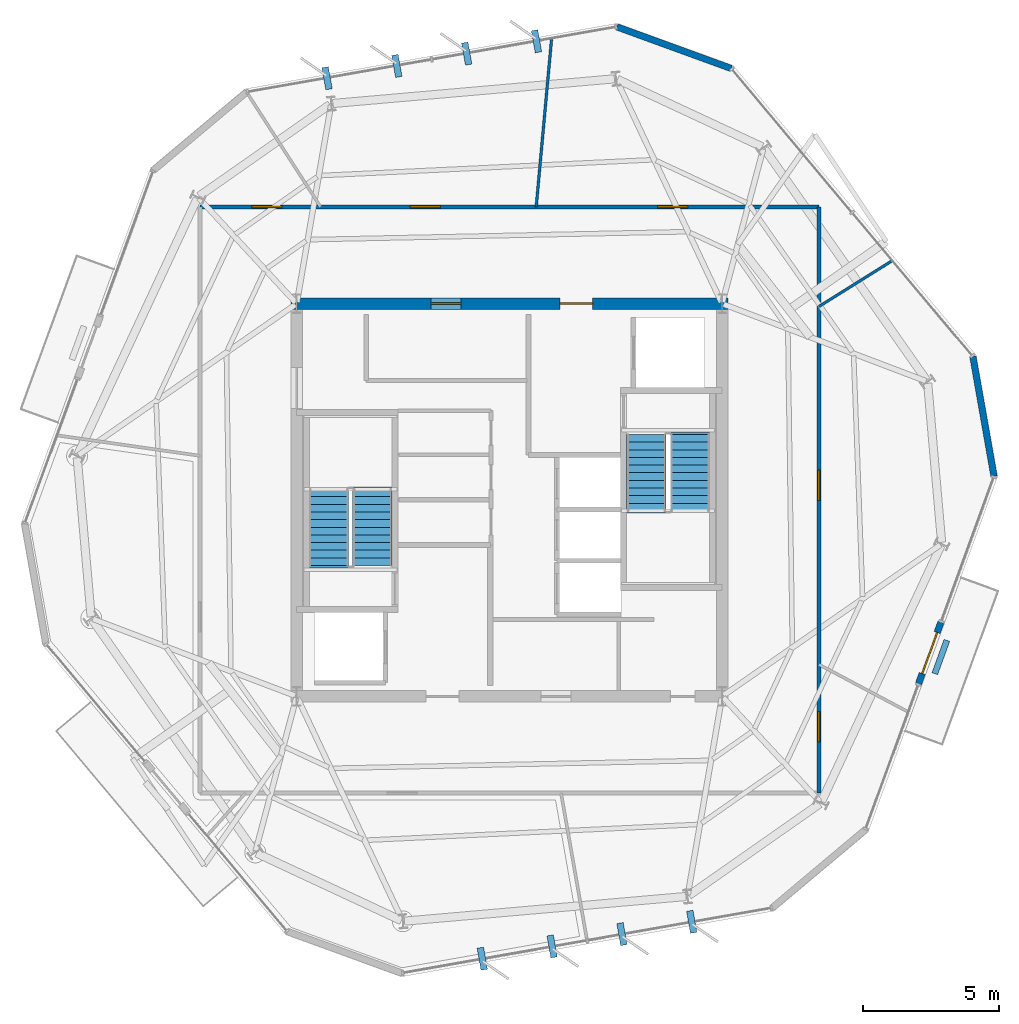
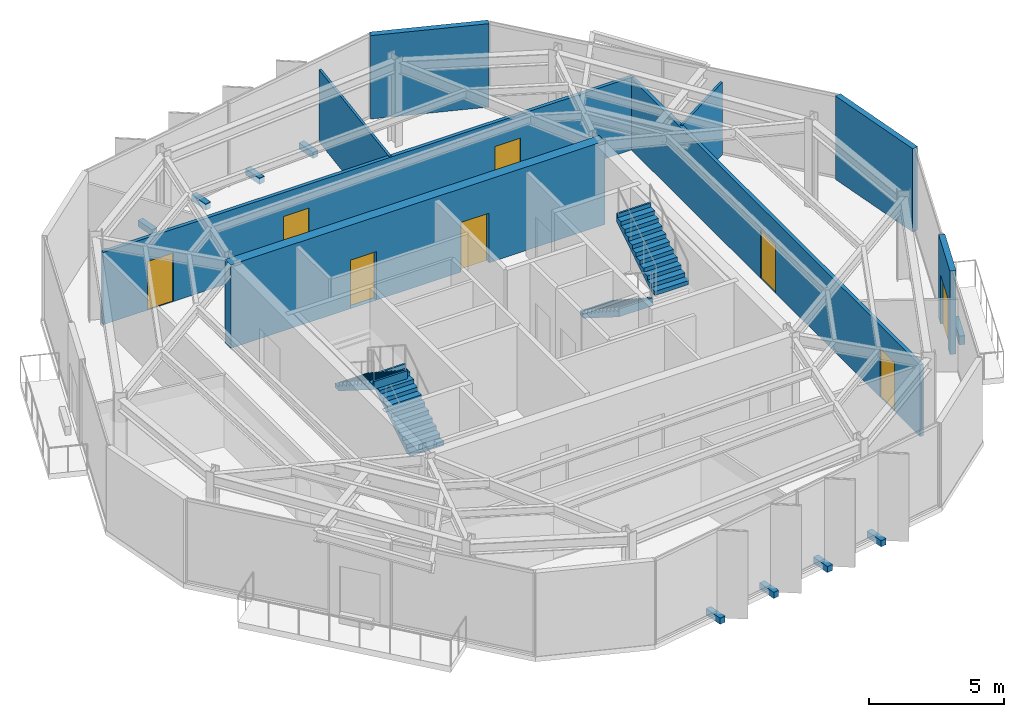
# One storey, part 8 of 11: 9 walls, 8 discrete accessories, 8 doors, 4 stair flights, 8 openings, 2 elements without a shape of their own.
"""IFC4 building model written with IfcOpenShell, lengths in metres."""

from ifc_helpers import new_model, si_unit, direction, frame, frame_2d, origin, origin_2d, place, context, subcontext, project, spatial, polyline, rectangle, outline, extrude, material, layer, layer_set, type_object, element, fill, aggregate, save


model = new_model("IFC4")

# Units and contexts
model_context = context("Model", 3, precision=1e-05, world=origin(), true_north=direction((0.0, 1.0)))
body_context = subcontext(model_context, "Body", "Model", "MODEL_VIEW")
ifc_project = project(units=[si_unit("LENGTHUNIT", "METRE"), si_unit("AREAUNIT", "SQUARE_METRE"), si_unit("VOLUMEUNIT", "CUBIC_METRE"), si_unit("PLANEANGLEUNIT", "RADIAN"), si_unit("MASSUNIT", "GRAM", prefix="KILO")], contexts=[model_context])

# Site, building, storey
site_placement = place(None, origin())
site = spatial("IfcSite", under=ifc_project, at=site_placement, CompositionType="ELEMENT")
building_placement = place(site_placement, origin())
building = spatial("IfcBuilding", under=site, at=building_placement, Name="Kranzbogen Civic Tower", CompositionType="ELEMENT")
storey_placement = place(building_placement, frame((0.0, 0.0, 306.199951171875)))
storey = spatial("IfcBuildingStorey", under=building, at=storey_placement, Name="L74", CompositionType="ELEMENT", Elevation=306.199951171875)

# Wall, openings, doors
ifc_material_1 = material(Name="Double-Stud Acoustic Gypsum Partition")
ifc_layer_1 = layer(ifc_material_1, 0.14990234375, Name="Double-Stud Acoustic Gypsum Partition")
ifc_layer_set_1 = layer_set([ifc_layer_1], Name="Double-Stud Acoustic Gypsum Partition")
wall_type_1 = type_object("IfcWallType", Name="Acoustic Corridor and Clinical Partition 150 mm", PredefinedType="PARTITIONING", material=ifc_layer_set_1)
wall_1_placement = place(storey_placement, frame((13.64990234375, 35.75, 0.0), z_axis=(0.0, 0.0, 1.0), x_axis=(1.0, 0.0, 0.0)))
wall_1 = element("IfcWall", 1, at=wall_1_placement, inside=storey, type_object=wall_type_1, Name="L74 corridor partition 01", PredefinedType="PARTITIONING", context=body_context, shape_type="SweptSolid", body=[
    extrude(rectangle(XDim=22.7001953125, YDim=0.14990234375, at=frame_2d((11.35009765625, 0.0))), origin(), (0.0, 0.0, 1.0), 3.280029296875),
])
opening_1_placement = place(wall_1_placement, frame((7.718017578125, 0.0, 0.0)))
opening_1 = element("IfcOpeningElement", 2, at=opening_1_placement, cuts=wall_1, Name="Opening D-COR60", PredefinedType="OPENING", context=body_context, shape_type="SweptSolid", body=[
    extrude(rectangle(XDim=1.10009765625, YDim=2.199951171875, at=frame_2d((0.550048828125, 1.10009765625))), frame((0.0, 0.0849609375, 0.0), z_axis=(0.0, -1.0, 0.0), x_axis=(1.0, 0.0, 0.0)), (0.0, 0.0, 1.0), 0.169921875),
])
opening_2_placement = place(wall_1_placement, frame((16.785888671875, 0.0, 0.0)))
opening_2 = element("IfcOpeningElement", 3, at=opening_2_placement, cuts=wall_1, Name="Opening D-COR60", PredefinedType="OPENING", context=body_context, shape_type="SweptSolid", body=[
    extrude(rectangle(XDim=1.10009765625, YDim=2.199951171875, at=frame_2d((0.550048828125, 1.10009765625))), frame((0.0, 0.0849609375, 0.0), z_axis=(0.0, -1.0, 0.0), x_axis=(1.0, 0.0, 0.0)), (0.0, 0.0, 1.0), 0.169921875),
])
opening_3_placement = place(wall_1_placement, frame((1.906005859375, 0.0, 0.0)))
opening_3 = element("IfcOpeningElement", 4, at=opening_3_placement, cuts=wall_1, Name="Opening D-COR60", PredefinedType="OPENING", context=body_context, shape_type="SweptSolid", body=[
    extrude(rectangle(XDim=1.10009765625, YDim=2.199951171875, at=frame_2d((0.550048828125, 1.10009765625))), frame((0.0, 0.0849609375, 0.0), z_axis=(0.0, -1.0, 0.0), x_axis=(1.0, 0.0, 0.0)), (0.0, 0.0, 1.0), 0.169921875),
])
ifc_material_2 = material(Name="Oak Timber and Fire Core", Category="wood")
door_type_1 = type_object("IfcDoorType", Name="Corridor Acoustic Fire Door 1100x2200", OperationType="NOTDEFINED", PredefinedType="DOOR", material=ifc_material_2)
door_1_placement = place(opening_1_placement, origin())
door_1 = element("IfcDoor", 5, at=door_1_placement, inside=storey, type_object=door_type_1, Name="L74 Municipal Exhibition Showroom door", OperationType="SINGLE_SWING_LEFT", OverallHeight=2.199951171875, OverallWidth=1.10009765625, PredefinedType="DOOR", context=body_context, shape_type="SweptSolid", body=[
    extrude(rectangle(XDim=1.10009765625, YDim=2.199951171875, at=frame_2d((0.550048828125, 1.10009765625))), frame((0.0, 0.02490234375, 0.0), z_axis=(0.0, -1.0, 0.0), x_axis=(1.0, 0.0, 0.0)), (0.0, 0.0, 1.0), 0.050048828125),
])
fill(opening_1, door_1)
door_2_placement = place(opening_2_placement, origin())
door_2 = element("IfcDoor", 6, at=door_2_placement, inside=storey, type_object=door_type_1, Name="L74 Licensing Information Kiosk door", OperationType="SINGLE_SWING_RIGHT", OverallHeight=2.199951171875, OverallWidth=1.10009765625, PredefinedType="DOOR", context=body_context, shape_type="SweptSolid", body=[
    extrude(rectangle(XDim=1.10009765625, YDim=2.199951171875, at=frame_2d((0.550048828125, 1.10009765625))), frame((0.0, 0.02490234375, 0.0), z_axis=(0.0, -1.0, 0.0), x_axis=(1.0, 0.0, 0.0)), (0.0, 0.0, 1.0), 0.050048828125),
])
fill(opening_2, door_2)
door_3_placement = place(opening_3_placement, origin())
door_3 = element("IfcDoor", 7, at=door_3_placement, inside=storey, type_object=door_type_1, Name="L74 Delegates Sitting Lounge door", OperationType="SINGLE_SWING_LEFT", OverallHeight=2.199951171875, OverallWidth=1.10009765625, PredefinedType="DOOR", context=body_context, shape_type="SweptSolid", body=[
    extrude(rectangle(XDim=1.10009765625, YDim=2.199951171875, at=frame_2d((0.550048828125, 1.10009765625))), frame((0.0, 0.02490234375, 0.0), z_axis=(0.0, -1.0, 0.0), x_axis=(1.0, 0.0, 0.0)), (0.0, 0.0, 1.0), 0.050048828125),
])
fill(opening_3, door_3)

wall_2_placement = place(storey_placement, frame((36.35009765625, 35.75, 0.0), z_axis=(0.0, 0.0, 1.0), x_axis=(0.0, -1.0, 0.0)))
wall_2 = element("IfcWall", 8, at=wall_2_placement, inside=storey, type_object=wall_type_1, Name="L74 corridor partition 02", PredefinedType="PARTITIONING", context=body_context, shape_type="SweptSolid", body=[
    extrude(rectangle(XDim=21.5, YDim=0.14990234375, at=frame_2d((10.75, 0.0))), origin(), (0.0, 0.0, 1.0), 3.25),
])
opening_4_placement = place(wall_2_placement, frame((18.514892578125, 0.0, 0.0)))
opening_4 = element("IfcOpeningElement", 9, at=opening_4_placement, cuts=wall_2, Name="Opening D-COR60", PredefinedType="OPENING", context=body_context, shape_type="SweptSolid", body=[
    extrude(rectangle(XDim=1.10009765625, YDim=2.199951171875, at=frame_2d((0.550048828125, 1.10009765625))), frame((0.0, 0.0849609375, 0.0), z_axis=(0.0, -1.0, 0.0), x_axis=(1.0, 0.0, 0.0)), (0.0, 0.0, 1.0), 0.169921875),
])
opening_5_placement = place(wall_2_placement, frame((9.6630859375, 0.0, 0.0)))
opening_5 = element("IfcOpeningElement", 10, at=opening_5_placement, cuts=wall_2, Name="Opening D-COR60", PredefinedType="OPENING", context=body_context, shape_type="SweptSolid", body=[
    extrude(rectangle(XDim=1.10009765625, YDim=2.199951171875, at=frame_2d((0.550048828125, 1.10009765625))), frame((0.0, 0.0849609375, 0.0), z_axis=(0.0, -1.0, 0.0), x_axis=(1.0, 0.0, 0.0)), (0.0, 0.0, 1.0), 0.169921875),
])
door_4_placement = place(opening_4_placement, origin())
door_4 = element("IfcDoor", 11, at=door_4_placement, inside=storey, type_object=door_type_1, Name="L74 Protocol Entrance Reception door", OperationType="SINGLE_SWING_LEFT", OverallHeight=2.199951171875, OverallWidth=1.10009765625, PredefinedType="DOOR", context=body_context, shape_type="SweptSolid", body=[
    extrude(rectangle(XDim=1.10009765625, YDim=2.199951171875, at=frame_2d((0.550048828125, 1.10009765625))), frame((0.0, 0.02490234375, 0.0), z_axis=(0.0, -1.0, 0.0), x_axis=(1.0, 0.0, 0.0)), (0.0, 0.0, 1.0), 0.050048828125),
])
fill(opening_4, door_4)
door_5_placement = place(opening_5_placement, origin())
door_5 = element("IfcDoor", 12, at=door_5_placement, inside=storey, type_object=door_type_1, Name="L74 Citizen Services Kiosk door", OperationType="SINGLE_SWING_RIGHT", OverallHeight=2.199951171875, OverallWidth=1.10009765625, PredefinedType="DOOR", context=body_context, shape_type="SweptSolid", body=[
    extrude(rectangle(XDim=1.10009765625, YDim=2.199951171875, at=frame_2d((0.550048828125, 1.10009765625))), frame((0.0, 0.02490234375, 0.0), z_axis=(0.0, -1.0, 0.0), x_axis=(1.0, 0.0, 0.0)), (0.0, 0.0, 1.0), 0.050048828125),
])
fill(opening_5, door_5)

# Wall
ifc_material_3 = material(Name="Architectural Precast Terracotta Concrete C40/50", Category="masonry")
ifc_layer_2 = layer(ifc_material_3, 0.219970703125, Name="Architectural Precast Terracotta Concrete C40/50")
ifc_layer_set_2 = layer_set([ifc_layer_2], Name="Architectural Precast Terracotta Concrete C40/50")
wall_type_2 = type_object("IfcWallType", Name="Architectural Tree Planter Kerb Wall 220 mm", PredefinedType="USERDEFINED", material=ifc_layer_set_2)
wall_3_placement = place(storey_placement, frame((40.60009765625, 18.6298828125, 0.0), z_axis=(0.0, 0.0, 1.0), x_axis=(0.341351063346, 0.939935876298, 0.0)))
element("IfcWall", 13, at=wall_3_placement, inside=storey, type_object=wall_type_2, Name="L74 landscaped tree balcony planter L74-TB2", ObjectType="PLANTER_WALL", PredefinedType="USERDEFINED", context=body_context, shape_type="SweptSolid", body=[
    extrude(rectangle(XDim=1.30029296875, YDim=0.219970703125, at=frame_2d((0.650146484375, 0.0))), origin(), (0.0, 0.0, 1.0), 0.400146484375),
])

# Wall, openings, doors
ifc_material_4 = material(Name="Concrete C45/55", Category="concrete")
ifc_layer_3 = layer(ifc_material_4, 0.419921875, Name="Concrete C45/55")
ifc_layer_set_3 = layer_set([ifc_layer_3], Name="Concrete C45/55")
wall_type_3 = type_object("IfcWallType", Name="Central Core Shear Wall 420 mm", PredefinedType="SHEAR", material=ifc_layer_set_3)
wall_4_placement = place(storey_placement, frame((33.010009765625, 32.199951171875, 0.0), z_axis=(0.0, 0.0, 1.0), x_axis=(-1.0, 0.0, 0.0)))
wall_4 = element("IfcWall", 14, at=wall_4_placement, inside=storey, type_object=wall_type_3, Name="L74 central core North shear wall", PredefinedType="SHEAR", context=body_context, shape_type="SweptSolid", body=[
    extrude(rectangle(XDim=16.02001953125, YDim=0.419921875, at=frame_2d((8.010009765625, 0.0))), origin(), (0.0, 0.0, 1.0), 3.780029296875),
])
opening_6_placement = place(wall_4_placement, frame((4.9599609375, 0.0, 0.0)))
opening_6 = element("IfcOpeningElement", 15, at=opening_6_placement, cuts=wall_4, Name="Opening D-EX120", PredefinedType="OPENING", context=body_context, shape_type="SweptSolid", body=[
    extrude(rectangle(XDim=1.199951171875, YDim=2.25, at=frame_2d((0.60009765625, 1.125))), frame((0.0, 0.219970703125, 0.0), z_axis=(0.0, -1.0, 0.0), x_axis=(1.0, 0.0, 0.0)), (0.0, 0.0, 1.0), 0.43994140625),
])
opening_7_placement = place(wall_4_placement, frame((9.784912109375, 0.0, 0.0)))
opening_7 = element("IfcOpeningElement", 16, at=opening_7_placement, cuts=wall_4, Name="Opening D-COR60", PredefinedType="OPENING", context=body_context, shape_type="SweptSolid", body=[
    extrude(rectangle(XDim=1.10009765625, YDim=2.199951171875, at=frame_2d((0.550048828125, 1.10009765625))), frame((0.0, 0.219970703125, 0.0), z_axis=(0.0, -1.0, 0.0), x_axis=(1.0, 0.0, 0.0)), (0.0, 0.0, 1.0), 0.43994140625),
])
door_6_placement = place(opening_7_placement, origin())
door_6 = element("IfcDoor", 17, at=door_6_placement, inside=storey, type_object=door_type_1, Name="L74 DAT1 comms room door", OperationType="SINGLE_SWING_RIGHT", OverallHeight=2.199951171875, OverallWidth=1.10009765625, PredefinedType="DOOR", context=body_context, shape_type="SweptSolid", body=[
    extrude(rectangle(XDim=1.10009765625, YDim=2.199951171875, at=frame_2d((0.550048828125, 1.10009765625))), frame((0.0, 0.02490234375, 0.0), z_axis=(0.0, -1.0, 0.0), x_axis=(1.0, 0.0, 0.0)), (0.0, 0.0, 1.0), 0.050048828125),
])
fill(opening_7, door_6)
ifc_material_5 = material(Name="Steel S355", Category="steel")
door_type_2 = type_object("IfcDoorType", Name="Exit Passageway Fire Door 1200x2250", OperationType="NOTDEFINED", PredefinedType="DOOR", material=ifc_material_5)
door_7_placement = place(opening_6_placement, origin())
door_7 = element("IfcDoor", 18, at=door_7_placement, inside=storey, type_object=door_type_2, Name="L74 East firefighting lobby corridor door", OperationType="SINGLE_SWING_RIGHT", OverallHeight=2.25, OverallWidth=1.199951171875, PredefinedType="DOOR", context=body_context, shape_type="SweptSolid", body=[
    extrude(rectangle(XDim=1.199951171875, YDim=2.25, at=frame_2d((0.60009765625, 1.125))), frame((0.0, 0.02490234375, 0.0), z_axis=(0.0, -1.0, 0.0), x_axis=(1.0, 0.0, 0.0)), (0.0, 0.0, 1.0), 0.050048828125),
])
fill(opening_6, door_7)

# Walls
ifc_material_6 = material(Name="Demountable Aluminium and Gypsum Partition", Category="aluminium")
ifc_layer_4 = layer(ifc_material_6, 0.10009765625, Name="Demountable Aluminium and Gypsum Partition")
ifc_layer_set_4 = layer_set([ifc_layer_4], Name="Demountable Aluminium and Gypsum Partition")
wall_type_4 = type_object("IfcWallType", Name="Demountable Office Partition 100 mm", PredefinedType="MOVABLE", material=ifc_layer_set_4)
wall_5_placement = place(storey_placement, frame((36.35009765625, 32.094970703125, 0.0), z_axis=(0.0, 0.0, 1.0), x_axis=(0.847967956765, 0.530047492494, 0.0)))
element("IfcWall", 19, at=wall_5_placement, inside=storey, type_object=wall_type_4, Name="L74 radial room partition 06", PredefinedType="MOVABLE", context=body_context, shape_type="SweptSolid", body=[
    extrude(rectangle(XDim=3.163818359375, YDim=0.10009765625, at=frame_2d((1.58203125, 0.0))), origin(), (0.0, 0.0, 1.0), 3.280029296875),
])
wall_6_placement = place(storey_placement, frame((25.98291015625, 35.75, 0.0), z_axis=(0.0, 0.0, 1.0), x_axis=(0.091150962687, 0.995837086074, 0.0)))
element("IfcWall", 20, at=wall_6_placement, inside=storey, type_object=wall_type_4, Name="L74 radial room partition 07", PredefinedType="MOVABLE", context=body_context, shape_type="SweptSolid", body=[
    extrude(rectangle(XDim=6.18994140625, YDim=0.10009765625, at=frame_2d((3.094970703125, 0.0))), origin(), (0.0, 0.0, 1.0), 3.280029296875),
])

# Wall, opening, door
ifc_material_7 = material(Name="Pale Anodised Aluminium", Category="aluminium")
ifc_layer_5 = layer(ifc_material_7, 0.239990234375, Name="Pale Anodised Aluminium")
ifc_layer_set_5 = layer_set([ifc_layer_5], Name="Pale Anodised Aluminium")
wall_type_5 = type_object("IfcWallType", Name="Insulated Aluminium Facade Portal Wall 240 mm", PredefinedType="STANDARD", material=ifc_layer_set_5)
wall_7_placement = place(storey_placement, frame((40.00390625, 18.260986328125, 0.0), z_axis=(0.0, 0.0, 1.0), x_axis=(0.341979831546, 0.939707292095, 0.0)))
wall_7 = element("IfcWall", 21, at=wall_7_placement, inside=storey, type_object=wall_type_5, Name="L74 exterior entrance portal wall 1", PredefinedType="STANDARD", context=body_context, shape_type="SweptSolid", body=[
    extrude(rectangle(XDim=2.40087890625, YDim=0.239990234375, at=frame_2d((1.200439453125, 0.0))), origin(), (0.0, 0.0, 1.0), 3.780029296875),
])
opening_8_placement = place(wall_7_placement, frame((0.39990234375, 0.0, 0.0)))
opening_8 = element("IfcOpeningElement", 22, at=opening_8_placement, cuts=wall_7, Name="Opening D-TER", PredefinedType="OPENING", context=body_context, shape_type="SweptSolid", body=[
    extrude(rectangle(XDim=1.60009765625, YDim=2.25, at=frame_2d((0.800048828125, 1.125))), frame((0.0, 0.1298828125, 0.0), z_axis=(0.0, -1.0, 0.0), x_axis=(1.0, 0.0, 0.0)), (0.0, 0.0, 1.0), 0.260009765625),
])
ifc_material_8 = material(Name="Anodised Bronze and Triple Glass", Category="glass")
door_type_3 = type_object("IfcDoorType", Name="Glazed Terrace and Balcony Double Door 1600x2250", OperationType="DOUBLE_DOOR_SINGLE_SWING", PredefinedType="DOOR", material=ifc_material_8)
door_8_placement = place(opening_8_placement, frame((1.60009765625, 0.0, 0.0), z_axis=(0.0, 0.0, 1.0), x_axis=(-1.0, 0.0, 0.0)))
door_8 = element("IfcDoor", 23, at=door_8_placement, inside=storey, type_object=door_type_3, Name="L74 tree balcony access door L74-TB2", OperationType="DOUBLE_DOOR_SINGLE_SWING", OverallHeight=2.25, OverallWidth=1.60009765625, PredefinedType="DOOR", context=body_context, shape_type="SweptSolid", body=[
    extrude(rectangle(XDim=1.60009765625, YDim=2.25, at=frame_2d((0.800048828125, 1.125))), frame((0.0, 0.02490234375, 0.0), z_axis=(0.0, -1.0, 0.0), x_axis=(1.0, 0.0, 0.0)), (0.0, 0.0, 1.0), 0.050048828125),
])
fill(opening_8, door_8)

# Walls
wall_8_placement = place(storey_placement, frame((42.77294921875, 25.866943359375, 0.0), z_axis=(0.0, 0.0, 1.0), x_axis=(-0.173772856593, 0.984785760616, 0.0)))
element("IfcWall", 24, at=wall_8_placement, inside=storey, type_object=wall_type_5, Name="L74 chamfered corner facade spandrel 5", PredefinedType="STANDARD", context=body_context, shape_type="SweptSolid", body=[
    extrude(rectangle(XDim=4.46484375, YDim=0.239990234375, at=frame_2d((2.232421875, 0.0))), origin(), (0.0, 0.0, 1.0), 3.780029296875),
])
wall_9_placement = place(storey_placement, frame((33.135986328125, 40.824951171875, 0.0), z_axis=(0.0, 0.0, 1.0), x_axis=(-0.939702397898, 0.341993279738, 0.0)))
element("IfcWall", 25, at=wall_9_placement, inside=storey, type_object=wall_type_5, Name="L74 chamfered corner facade spandrel 6", PredefinedType="STANDARD", context=body_context, shape_type="SweptSolid", body=[
    extrude(rectangle(XDim=4.46533203125, YDim=0.239990234375, at=frame_2d((2.232666015625, 0.0))), origin(), (0.0, 0.0, 1.0), 3.780029296875),
])

# Stair, stair flights
ifc_material_9 = material(Name="Precast concrete C40/50", Category="concrete")
stair_type_1 = type_object("IfcStairType", Name="Tower Core Pressurized Dogleg Stair 1450", PredefinedType="HALF_TURN_STAIR", material=ifc_material_9)
stair_1_placement = place(storey_placement, origin())
stair_1 = element("IfcStair", 26, at=stair_1_placement, inside=storey, type_object=stair_type_1, Name="L74 Tower Core Pressurized Stair 1", PredefinedType="HALF_TURN_STAIR")
stair_flight_type = type_object("IfcStairFlightType", Name="Precast Concrete Stair Flight R180", PredefinedType="STRAIGHT", material=ifc_material_9)
stair_flight_1_placement = place(storey_placement, frame((19.97509765625, 22.60009765625, 0.0), z_axis=(0.0, 0.0, 1.0), x_axis=(0.0, 1.0, 0.0)))
stair_flight_1 = element("IfcStairFlight", 27, at=stair_flight_1_placement, type_object=stair_flight_type, Name="ST-T1 flight 1", NumberOfRisers=11, NumberOfTreads=10, PredefinedType="STRAIGHT", RiserHeight=0.181818182, TreadLength=0.28, context=body_context, shape_type="SweptSolid", body=[
    extrude(outline(polyline([(0.0, 0.0), (0.0, 0.181884765625), (0.280029296875, 0.181884765625), (0.280029296875, 0.363525390625), (0.56005859375, 0.363525390625), (0.56005859375, 0.54541015625), (0.840087890625, 0.54541015625), (0.840087890625, 0.727294921875), (1.1201171875, 0.727294921875), (1.1201171875, 0.9091796875), (1.39990234375, 0.9091796875), (1.39990234375, 1.0908203125), (1.679931640625, 1.0908203125), (1.679931640625, 1.272705078125), (1.9599609375, 1.272705078125), (1.9599609375, 1.45458984375), (2.239990234375, 1.45458984375), (2.239990234375, 1.636474609375), (2.52001953125, 1.636474609375), (2.52001953125, 1.818115234375), (2.800048828125, 1.818115234375), (2.800048828125, 2.0), (2.880126953125, 2.0), (2.880126953125, 1.639404296875), (0.275146484375, 0.0), (0.0, 0.0)])), frame((0.0, 0.72509765625, 0.0), z_axis=(0.0, -1.0, 0.0), x_axis=(1.0, 0.0, 0.0)), (0.0, 0.0, 1.0), 1.449951171875),
])
stair_flight_2_placement = place(storey_placement, frame((18.375, 25.39990234375, 2.0), z_axis=(0.0, 0.0, 1.0), x_axis=(0.0, -1.0, 0.0)))
stair_flight_2 = element("IfcStairFlight", 28, at=stair_flight_2_placement, type_object=stair_flight_type, Name="ST-T1 flight 2", NumberOfRisers=11, NumberOfTreads=10, PredefinedType="STRAIGHT", RiserHeight=0.181818182, TreadLength=0.28, context=body_context, shape_type="SweptSolid", body=[
    extrude(outline(polyline([(0.0, 0.0), (0.0, 0.181884765625), (0.280029296875, 0.181884765625), (0.280029296875, 0.363525390625), (0.56005859375, 0.363525390625), (0.56005859375, 0.54541015625), (0.840087890625, 0.54541015625), (0.840087890625, 0.727294921875), (1.1201171875, 0.727294921875), (1.1201171875, 0.9091796875), (1.39990234375, 0.9091796875), (1.39990234375, 1.0908203125), (1.679931640625, 1.0908203125), (1.679931640625, 1.272705078125), (1.9599609375, 1.272705078125), (1.9599609375, 1.45458984375), (2.239990234375, 1.45458984375), (2.239990234375, 1.636474609375), (2.52001953125, 1.636474609375), (2.52001953125, 1.818115234375), (2.800048828125, 1.818115234375), (2.800048828125, 2.0), (2.880126953125, 2.0), (2.880126953125, 1.639404296875), (0.275146484375, 0.0), (0.0, 0.0)])), frame((0.0, 0.72509765625, 0.0), z_axis=(0.0, -1.0, 0.0), x_axis=(1.0, 0.0, 0.0)), (0.0, 0.0, 1.0), 1.449951171875),
])
aggregate(stair_1, [stair_flight_1, stair_flight_2])

stair_type_2 = type_object("IfcStairType", Name="Tower Core Secondary Dogleg Stair 1450", PredefinedType="HALF_TURN_STAIR", material=ifc_material_9)
stair_2_placement = place(storey_placement, origin())
stair_2 = element("IfcStair", 29, at=stair_2_placement, inside=storey, type_object=stair_type_2, Name="L74 Tower Core Pressurized Stair 2", PredefinedType="HALF_TURN_STAIR")
stair_flight_3_placement = place(storey_placement, frame((30.02490234375, 27.39990234375, 0.0), z_axis=(0.0, 0.0, 1.0), x_axis=(0.0, -1.0, 0.0)))
stair_flight_3 = element("IfcStairFlight", 30, at=stair_flight_3_placement, type_object=stair_flight_type, Name="ST-T2 flight 1", NumberOfRisers=11, NumberOfTreads=10, PredefinedType="STRAIGHT", RiserHeight=0.181818182, TreadLength=0.28, context=body_context, shape_type="SweptSolid", body=[
    extrude(outline(polyline([(0.0, 0.0), (0.0, 0.181884765625), (0.280029296875, 0.181884765625), (0.280029296875, 0.363525390625), (0.56005859375, 0.363525390625), (0.56005859375, 0.54541015625), (0.840087890625, 0.54541015625), (0.840087890625, 0.727294921875), (1.1201171875, 0.727294921875), (1.1201171875, 0.9091796875), (1.39990234375, 0.9091796875), (1.39990234375, 1.0908203125), (1.679931640625, 1.0908203125), (1.679931640625, 1.272705078125), (1.9599609375, 1.272705078125), (1.9599609375, 1.45458984375), (2.239990234375, 1.45458984375), (2.239990234375, 1.636474609375), (2.52001953125, 1.636474609375), (2.52001953125, 1.818115234375), (2.800048828125, 1.818115234375), (2.800048828125, 2.0), (2.880126953125, 2.0), (2.880126953125, 1.639404296875), (0.275146484375, 0.0), (0.0, 0.0)])), frame((0.0, 0.72509765625, 0.0), z_axis=(0.0, -1.0, 0.0), x_axis=(1.0, 0.0, 0.0)), (0.0, 0.0, 1.0), 1.449951171875),
])
stair_flight_4_placement = place(storey_placement, frame((31.625, 24.60009765625, 2.0), z_axis=(0.0, 0.0, 1.0), x_axis=(0.0, 1.0, 0.0)))
stair_flight_4 = element("IfcStairFlight", 31, at=stair_flight_4_placement, type_object=stair_flight_type, Name="ST-T2 flight 2", NumberOfRisers=11, NumberOfTreads=10, PredefinedType="STRAIGHT", RiserHeight=0.181818182, TreadLength=0.28, context=body_context, shape_type="SweptSolid", body=[
    extrude(outline(polyline([(0.0, 0.0), (0.0, 0.181884765625), (0.280029296875, 0.181884765625), (0.280029296875, 0.363525390625), (0.56005859375, 0.363525390625), (0.56005859375, 0.54541015625), (0.840087890625, 0.54541015625), (0.840087890625, 0.727294921875), (1.1201171875, 0.727294921875), (1.1201171875, 0.9091796875), (1.39990234375, 0.9091796875), (1.39990234375, 1.0908203125), (1.679931640625, 1.0908203125), (1.679931640625, 1.272705078125), (1.9599609375, 1.272705078125), (1.9599609375, 1.45458984375), (2.239990234375, 1.45458984375), (2.239990234375, 1.636474609375), (2.52001953125, 1.636474609375), (2.52001953125, 1.818115234375), (2.800048828125, 1.818115234375), (2.800048828125, 2.0), (2.880126953125, 2.0), (2.880126953125, 1.639404296875), (0.275146484375, 0.0), (0.0, 0.0)])), frame((0.0, 0.72509765625, 0.0), z_axis=(0.0, -1.0, 0.0), x_axis=(1.0, 0.0, 0.0)), (0.0, 0.0, 1.0), 1.449951171875),
])
aggregate(stair_2, [stair_flight_3, stair_flight_4])

# Discrete accessories
discrete_accessory_type = type_object("IfcDiscreteAccessoryType", Name="Structural Curtain-Wall Fin Support Bracket", PredefinedType="BRACKET", material=ifc_material_5)
for number, where, z_axis, x_axis, name in (
    (32, (25.993896484375, 41.822021484375, -0.25), (0.0, 0.0, 1.0), (-0.173648177667, 0.984807753012, 0.0), "L74 facade fin support bracket F1-1"),
    (33, (23.43408203125, 41.3701171875, -0.25), (0.0, 0.0, 1.0), (-0.173648177667, 0.984807753012, 0.0), "L74 facade fin support bracket F1-2"),
    (34, (20.873046875, 40.9189453125, -0.25), (0.0, 0.0, 1.0), (-0.173648177667, 0.984807753012, 0.0), "L74 facade fin support bracket F1-3"),
    (35, (18.31298828125, 40.467041015625, -0.25), (0.0, 0.0, 1.0), (-0.173648177667, 0.984807753012, 0.0), "L74 facade fin support bracket F1-4"),
    (36, (24.006103515625, 8.177978515625, -0.25), (0.0, 0.0, 1.0), (0.173648177667, -0.984807753012, 0.0), "L74 facade fin support bracket F4-1"),
    (37, (26.56591796875, 8.6298828125, -0.25), (0.0, 0.0, 1.0), (0.173648177667, -0.984807753012, 0.0), "L74 facade fin support bracket F4-2"),
    (38, (29.126953125, 9.0810546875, -0.25), (0.0, 0.0, 1.0), (0.173648177667, -0.984807753012, 0.0), "L74 facade fin support bracket F4-3"),
    (39, (31.68701171875, 9.532958984375, -0.25), (0.0, 0.0, 1.0), (0.173648177667, -0.984807753012, 0.0), "L74 facade fin support bracket F4-4"),
):
    element("IfcDiscreteAccessory", number, at=place(storey_placement, frame(where, z_axis=z_axis, x_axis=x_axis)), inside=storey, type_object=discrete_accessory_type, Name=name, PredefinedType="BRACKET", context=body_context, shape_type="SweptSolid", body=[
        extrude(rectangle(XDim=0.820068359375, YDim=0.239990234375, at=origin_2d()), origin(), (0.0, 0.0, 1.0), 0.280029296875),
    ])

save(model, "model.ifc")
